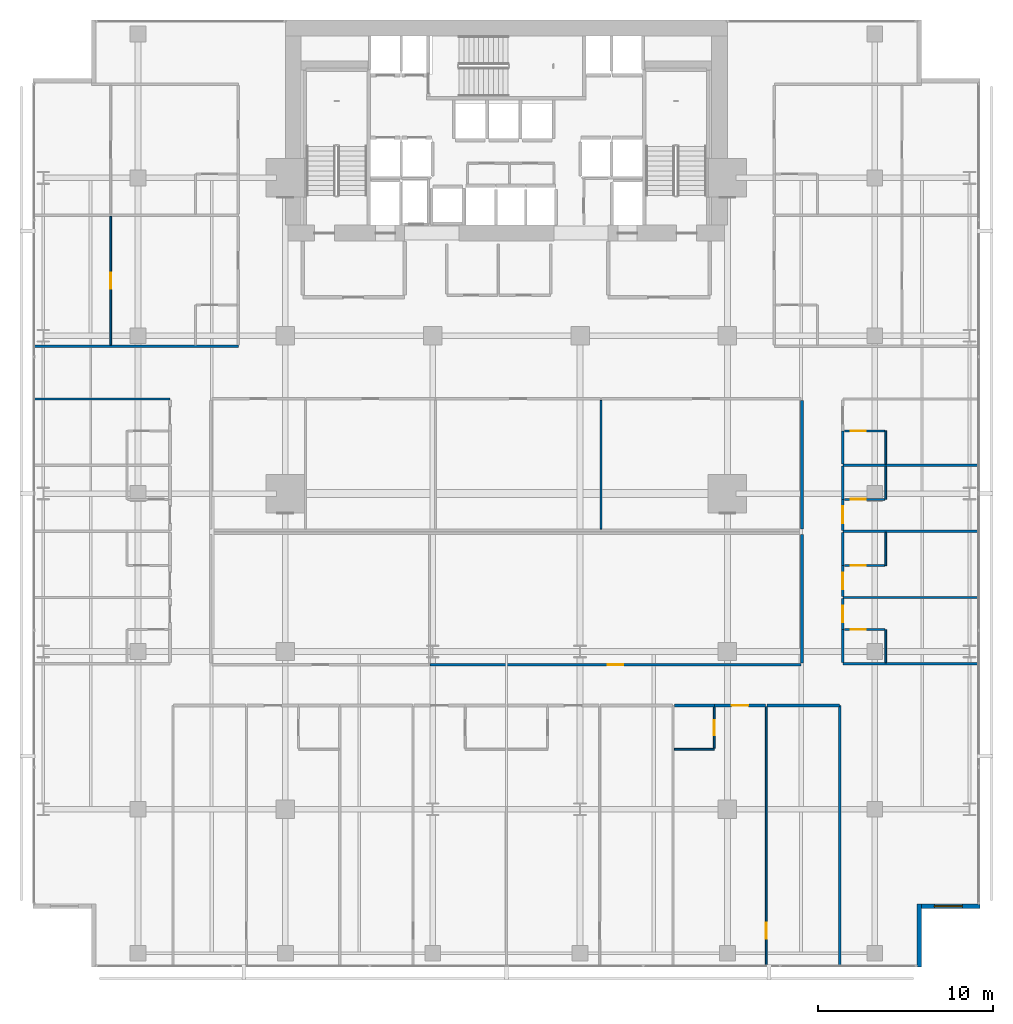
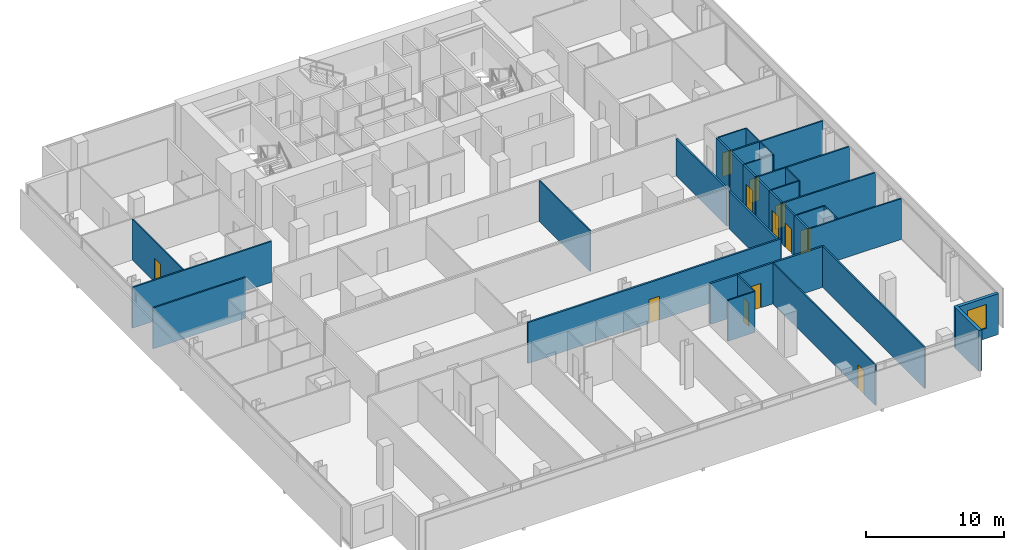
# One storey, part 34 of 40: 35 walls, 12 doors, 1 window, 13 openings.
"""IFC4 building model written with IfcOpenShell, lengths in metres."""

from ifc_helpers import new_model, si_unit, direction, frame, frame_2d, origin, place, context, subcontext, project, spatial, rectangle, extrude, material, layer, layer_set, type_object, element, fill, save


model = new_model("IFC4")

# Units and contexts
model_context = context("Model", 3, precision=1e-05, world=origin(), true_north=direction((0.0, 1.0)))
body_context = subcontext(model_context, "Body", "Model", "MODEL_VIEW")
ifc_project = project(units=[si_unit("LENGTHUNIT", "METRE"), si_unit("AREAUNIT", "SQUARE_METRE"), si_unit("VOLUMEUNIT", "CUBIC_METRE"), si_unit("PLANEANGLEUNIT", "RADIAN"), si_unit("MASSUNIT", "GRAM", prefix="KILO")], contexts=[model_context])

# Site, building, storey
site_placement = place(None, origin())
site = spatial("IfcSite", under=ifc_project, at=site_placement, CompositionType="ELEMENT")
building_placement = place(site_placement, origin())
building = spatial("IfcBuilding", under=site, at=building_placement, Name="Maruvema Waterfront Hotel and Observation Tower", CompositionType="ELEMENT")
storey_placement = place(building_placement, frame((0.0, 0.0, 107.800048828125)))
storey = spatial("IfcBuildingStorey", under=building, at=storey_placement, Name="L26", CompositionType="ELEMENT", Elevation=107.800048828125)

# Walls
ifc_material_1 = material(Name="Twin-stud acoustic gypsum drywall", Category="gypsum")
ifc_layer_1 = layer(ifc_material_1, 0.14990234375, Name="Acoustic Corridor and Suite Demising Wall 150 mm")
ifc_layer_set_1 = layer_set([ifc_layer_1], Name="Twin-stud acoustic gypsum drywall")
wall_type_1 = type_object("IfcWallType", Name="Acoustic Corridor and Suite Demising Wall 150 mm", PredefinedType="PARTITIONING", material=ifc_layer_set_1)
wall_1_placement = place(storey_placement, frame((54.64990234375, 24.97998046875, 0.0), z_axis=(0.0, 0.0, 1.0), x_axis=(0.0, 1.0, 0.0)))
element("IfcWall", 1, at=wall_1_placement, inside=storey, type_object=wall_type_1, Name="L26 L26-INTN East Wall 024", PredefinedType="PARTITIONING", context=body_context, shape_type="SweptSolid", body=[
    extrude(rectangle(XDim=7.340087890625, YDim=0.14990234375, at=frame_2d((3.669921875, 0.0))), origin(), (0.0, 0.0, 1.0), 3.300048828125),
])
wall_2_placement = place(storey_placement, frame((54.64990234375, 17.330078125, 0.0), z_axis=(0.0, 0.0, 1.0), x_axis=(0.0, 1.0, 0.0)))
element("IfcWall", 2, at=wall_2_placement, inside=storey, type_object=wall_type_1, Name="L26 L26-INTS East Wall 034", PredefinedType="PARTITIONING", context=body_context, shape_type="SweptSolid", body=[
    extrude(rectangle(XDim=7.329833984375, YDim=0.14990234375, at=frame_2d((3.6650390625, 0.0))), origin(), (0.0, 0.0, 1.0), 3.29296875),
])

# Wall, opening, door
wall_3_placement = place(storey_placement, frame((33.448974609375, 17.25, 0.0), z_axis=(0.0, 0.0, 1.0), x_axis=(1.0, 0.0, 0.0)))
wall_3 = element("IfcWall", 3, at=wall_3_placement, inside=storey, type_object=wall_type_1, Name="L26 L26-INTS Front 2 037", PredefinedType="PARTITIONING", context=body_context, shape_type="SweptSolid", body=[
    extrude(rectangle(XDim=21.14111328125, YDim=0.14990234375, at=frame_2d((10.570556640625, 0.0))), origin(), (0.0, 0.0, 1.0), 3.60986328125),
])
opening_1_placement = place(wall_3_placement, frame((10.12060546875, 0.0, 0.0)))
opening_1 = element("IfcOpeningElement", 4, at=opening_1_placement, cuts=wall_3, Name="Opening DR-090", PredefinedType="OPENING", context=body_context, shape_type="SweptSolid", body=[
    extrude(rectangle(XDim=0.89990234375, YDim=2.10009765625, at=frame_2d((0.449951171875, 1.050048828125))), frame((0.0, 0.0849609375, 0.0), z_axis=(0.0, -1.0, 0.0), x_axis=(1.0, 0.0, 0.0)), (0.0, 0.0, 1.0), 0.169921875),
])
ifc_material_2 = material(Name="Solid-core lacquered timber leaf", Category="wood")
door_type_1 = type_object("IfcDoorType", Name="Accessible Toilet and Room Door 900x2100 mm", OperationType="NOTDEFINED", PredefinedType="DOOR", material=ifc_material_2)
door_1_placement = place(opening_1_placement, frame((0.89990234375, 0.0, 0.0), z_axis=(0.0, 0.0, 1.0), x_axis=(-1.0, 0.0, 0.0)))
door_1 = element("IfcDoor", 5, at=door_1_placement, inside=storey, type_object=door_type_1, Name="L26 Housekeeping Linen Room Door", OperationType="SINGLE_SWING_LEFT", OverallHeight=2.10009765625, OverallWidth=0.89990234375, PredefinedType="DOOR", context=body_context, shape_type="SweptSolid", body=[
    extrude(rectangle(XDim=0.89990234375, YDim=2.10009765625, at=frame_2d((0.449951171875, 1.050048828125))), frame((0.0, 0.02490234375, 0.0), z_axis=(0.0, -1.0, 0.0), x_axis=(1.0, 0.0, 0.0)), (0.0, 0.0, 1.0), 0.050048828125),
])
fill(opening_1, door_1)

# Wall
wall_4_placement = place(storey_placement, frame((47.3798828125, 14.919921875, 0.0), z_axis=(0.0, 0.0, 1.0), x_axis=(1.0, 0.0, 0.0)))
element("IfcWall", 6, at=wall_4_placement, inside=storey, type_object=wall_type_1, Name="L26 Bath L26-S4 Back Wall 061", PredefinedType="PARTITIONING", context=body_context, shape_type="SweptSolid", body=[
    extrude(rectangle(XDim=2.27001953125, YDim=0.14990234375, at=frame_2d((1.135009765625, 0.0))), origin(), (0.0, 0.0, 1.0), 3.60986328125),
])

# Wall, opening, door
wall_5_placement = place(storey_placement, frame((49.64990234375, 14.919921875, 0.0), z_axis=(0.0, 0.0, 1.0), x_axis=(1.0, 0.0, 0.0)))
wall_5 = element("IfcWall", 7, at=wall_5_placement, inside=storey, type_object=wall_type_1, Name="L26 Unit L26-S4 Corridor Wall 064", PredefinedType="PARTITIONING", context=body_context, shape_type="SweptSolid", body=[
    extrude(rectangle(XDim=2.93017578125, YDim=0.14990234375, at=frame_2d((1.465087890625, 0.0))), origin(), (0.0, 0.0, 1.0), 3.60986328125),
])
opening_2_placement = place(wall_5_placement, frame((0.989990234375, 0.0, 0.0)))
opening_2 = element("IfcOpeningElement", 8, at=opening_2_placement, cuts=wall_5, Name="Opening DR-095", PredefinedType="OPENING", context=body_context, shape_type="SweptSolid", body=[
    extrude(rectangle(XDim=0.949951171875, YDim=2.14990234375, at=frame_2d((0.47509765625, 1.074951171875))), frame((0.0, 0.0849609375, 0.0), z_axis=(0.0, -1.0, 0.0), x_axis=(1.0, 0.0, 0.0)), (0.0, 0.0, 1.0), 0.169921875),
])
ifc_material_3 = material(Name="Acoustic solid-core hardwood timber leaf", Category="wood")
door_type_2 = type_object("IfcDoorType", Name="Guestroom Entrance Fire Door 950x2150 mm", OperationType="NOTDEFINED", PredefinedType="DOOR", material=ifc_material_3)
door_2_placement = place(opening_2_placement, frame((0.949951171875, 0.0, 0.0), z_axis=(0.0, 0.0, 1.0), x_axis=(-1.0, 0.0, 0.0)))
door_2 = element("IfcDoor", 9, at=door_2_placement, inside=storey, type_object=door_type_2, Name="L26 Unit L26-S4 Entrance Door", OperationType="SINGLE_SWING_RIGHT", OverallHeight=2.14990234375, OverallWidth=0.949951171875, PredefinedType="DOOR", context=body_context, shape_type="SweptSolid", body=[
    extrude(rectangle(XDim=0.949951171875, YDim=2.14990234375, at=frame_2d((0.47509765625, 1.074951171875))), frame((0.0, 0.02490234375, 0.0), z_axis=(0.0, -1.0, 0.0), x_axis=(1.0, 0.0, 0.0)), (0.0, 0.0, 1.0), 0.050048828125),
])
fill(opening_2, door_2)

# Walls
wall_6_placement = place(storey_placement, frame((52.659912109375, 14.919921875, 0.0), z_axis=(0.0, 0.0, 1.0), x_axis=(1.0, 0.0, 0.0)))
element("IfcWall", 10, at=wall_6_placement, inside=storey, type_object=wall_type_1, Name="L26 Bedroom L26-S4 Back Wall 065", PredefinedType="PARTITIONING", context=body_context, shape_type="SweptSolid", body=[
    extrude(rectangle(XDim=4.1201171875, YDim=0.14990234375, at=frame_2d((2.06005859375, 0.0))), origin(), (0.0, 0.0, 1.0), 3.60986328125),
])
wall_7_placement = place(storey_placement, frame((56.97998046875, 17.360107421875, 0.0), z_axis=(0.0, 0.0, 1.0), x_axis=(0.0, 1.0, 0.0)))
element("IfcWall", 11, at=wall_7_placement, inside=storey, type_object=wall_type_1, Name="L26 Bath L26-E1 Wall 075", PredefinedType="PARTITIONING", context=body_context, shape_type="SweptSolid", body=[
    extrude(rectangle(XDim=1.889892578125, YDim=0.14990234375, at=frame_2d((0.94482421875, 0.0))), origin(), (0.0, 0.0, 1.0), 3.60986328125),
])

# Wall, opening, door
wall_8_placement = place(storey_placement, frame((56.97998046875, 19.25, 0.0), z_axis=(0.0, 0.0, 1.0), x_axis=(0.0, 1.0, 0.0)))
wall_8 = element("IfcWall", 12, at=wall_8_placement, inside=storey, type_object=wall_type_1, Name="L26 Room L26-E1 Corridor Wall 076", PredefinedType="PARTITIONING", context=body_context, shape_type="SweptSolid", body=[
    extrude(rectangle(XDim=1.760009765625, YDim=0.14990234375, at=frame_2d((0.8798828125, 0.0))), origin(), (0.0, 0.0, 1.0), 3.60986328125),
])
opening_3_placement = place(wall_8_placement, frame((0.405029296875, 0.0, 0.0)))
opening_3 = element("IfcOpeningElement", 13, at=opening_3_placement, cuts=wall_8, Name="Opening DR-095", PredefinedType="OPENING", context=body_context, shape_type="SweptSolid", body=[
    extrude(rectangle(XDim=0.949951171875, YDim=2.14990234375, at=frame_2d((0.47509765625, 1.074951171875))), frame((0.0, 0.0849609375, 0.0), z_axis=(0.0, -1.0, 0.0), x_axis=(1.0, 0.0, 0.0)), (0.0, 0.0, 1.0), 0.169921875),
])
door_3_placement = place(opening_3_placement, frame((0.949951171875, 0.0, 0.0), z_axis=(0.0, 0.0, 1.0), x_axis=(-1.0, 0.0, 0.0)))
door_3 = element("IfcDoor", 14, at=door_3_placement, inside=storey, type_object=door_type_2, Name="L26 Room L26-E1 Entrance Door", OperationType="SINGLE_SWING_LEFT", OverallHeight=2.14990234375, OverallWidth=0.949951171875, PredefinedType="DOOR", context=body_context, shape_type="SweptSolid", body=[
    extrude(rectangle(XDim=0.949951171875, YDim=2.14990234375, at=frame_2d((0.47509765625, 1.074951171875))), frame((0.0, 0.02490234375, 0.0), z_axis=(0.0, -1.0, 0.0), x_axis=(1.0, 0.0, 0.0)), (0.0, 0.0, 1.0), 0.050048828125),
])
fill(opening_3, door_3)

wall_9_placement = place(storey_placement, frame((56.97998046875, 21.1298828125, 0.0), z_axis=(0.0, 0.0, 1.0), x_axis=(0.0, 1.0, 0.0)))
wall_9 = element("IfcWall", 15, at=wall_9_placement, inside=storey, type_object=wall_type_1, Name="L26 Room L26-E2 Corridor Wall 085", PredefinedType="PARTITIONING", context=body_context, shape_type="SweptSolid", body=[
    extrude(rectangle(XDim=1.77001953125, YDim=0.14990234375, at=frame_2d((0.885009765625, 0.0))), origin(), (0.0, 0.0, 1.0), 3.60986328125),
])
opening_4_placement = place(wall_9_placement, frame((0.409912109375, 0.0, 0.0)))
opening_4 = element("IfcOpeningElement", 16, at=opening_4_placement, cuts=wall_9, Name="Opening DR-095", PredefinedType="OPENING", context=body_context, shape_type="SweptSolid", body=[
    extrude(rectangle(XDim=0.949951171875, YDim=2.14990234375, at=frame_2d((0.47509765625, 1.074951171875))), frame((0.0, 0.0849609375, 0.0), z_axis=(0.0, -1.0, 0.0), x_axis=(1.0, 0.0, 0.0)), (0.0, 0.0, 1.0), 0.169921875),
])
door_4_placement = place(opening_4_placement, frame((0.949951171875, 0.0, 0.0), z_axis=(0.0, 0.0, 1.0), x_axis=(-1.0, 0.0, 0.0)))
door_4 = element("IfcDoor", 17, at=door_4_placement, inside=storey, type_object=door_type_2, Name="L26 Room L26-E2 Entrance Door", OperationType="SINGLE_SWING_LEFT", OverallHeight=2.14990234375, OverallWidth=0.949951171875, PredefinedType="DOOR", context=body_context, shape_type="SweptSolid", body=[
    extrude(rectangle(XDim=0.949951171875, YDim=2.14990234375, at=frame_2d((0.47509765625, 1.074951171875))), frame((0.0, 0.02490234375, 0.0), z_axis=(0.0, -1.0, 0.0), x_axis=(1.0, 0.0, 0.0)), (0.0, 0.0, 1.0), 0.050048828125),
])
fill(opening_4, door_4)

# Wall
wall_10_placement = place(storey_placement, frame((56.97998046875, 22.89990234375, 0.0), z_axis=(0.0, 0.0, 1.0), x_axis=(0.0, 1.0, 0.0)))
element("IfcWall", 18, at=wall_10_placement, inside=storey, type_object=wall_type_1, Name="L26 Bath L26-E2 Wall 086", PredefinedType="PARTITIONING", context=body_context, shape_type="SweptSolid", body=[
    extrude(rectangle(XDim=1.89013671875, YDim=0.14990234375, at=frame_2d((0.945068359375, 0.0))), origin(), (0.0, 0.0, 1.0), 3.60986328125),
])

# Wall, opening, door
wall_11_placement = place(storey_placement, frame((56.97998046875, 24.909912109375, 0.0), z_axis=(0.0, 0.0, 1.0), x_axis=(0.0, 1.0, 0.0)))
wall_11 = element("IfcWall", 19, at=wall_11_placement, inside=storey, type_object=wall_type_1, Name="L26 Room L26-E3 Corridor Wall 095", PredefinedType="PARTITIONING", context=body_context, shape_type="SweptSolid", body=[
    extrude(rectangle(XDim=1.760009765625, YDim=0.14990234375, at=frame_2d((0.8798828125, 0.0))), origin(), (0.0, 0.0, 1.0), 3.60986328125),
])
opening_5_placement = place(wall_11_placement, frame((0.405029296875, 0.0, 0.0)))
opening_5 = element("IfcOpeningElement", 20, at=opening_5_placement, cuts=wall_11, Name="Opening DR-095", PredefinedType="OPENING", context=body_context, shape_type="SweptSolid", body=[
    extrude(rectangle(XDim=0.949951171875, YDim=2.14990234375, at=frame_2d((0.47509765625, 1.074951171875))), frame((0.0, 0.0849609375, 0.0), z_axis=(0.0, -1.0, 0.0), x_axis=(1.0, 0.0, 0.0)), (0.0, 0.0, 1.0), 0.169921875),
])
door_5_placement = place(opening_5_placement, frame((0.949951171875, 0.0, 0.0), z_axis=(0.0, 0.0, 1.0), x_axis=(-1.0, 0.0, 0.0)))
door_5 = element("IfcDoor", 21, at=door_5_placement, inside=storey, type_object=door_type_2, Name="L26 Room L26-E3 Entrance Door", OperationType="SINGLE_SWING_LEFT", OverallHeight=2.14990234375, OverallWidth=0.949951171875, PredefinedType="DOOR", context=body_context, shape_type="SweptSolid", body=[
    extrude(rectangle(XDim=0.949951171875, YDim=2.14990234375, at=frame_2d((0.47509765625, 1.074951171875))), frame((0.0, 0.02490234375, 0.0), z_axis=(0.0, -1.0, 0.0), x_axis=(1.0, 0.0, 0.0)), (0.0, 0.0, 1.0), 0.050048828125),
])
fill(opening_5, door_5)

# Walls
for number, where, z_axis, x_axis, name in (
    (22, (56.97998046875, 26.669921875, 0.0), (0.0, 0.0, 1.0), (0.0, 1.0, 0.0), "L26 Bath L26-E3 Wall 096"),
    (23, (56.97998046875, 28.679931640625, 0.0), (0.0, 0.0, 1.0), (0.0, 1.0, 0.0), "L26 Bath L26-E4 Wall 105"),
):
    element("IfcWall", number, at=place(storey_placement, frame(where, z_axis=z_axis, x_axis=x_axis)), inside=storey, type_object=wall_type_1, Name=name, PredefinedType="PARTITIONING", context=body_context, shape_type="SweptSolid", body=[
        extrude(rectangle(XDim=1.89013671875, YDim=0.14990234375, at=frame_2d((0.945068359375, 0.0))), origin(), (0.0, 0.0, 1.0), 3.60986328125),
    ])
ifc_material_4 = material(Name="Moisture-resistant cement-board drywall", Category="gypsum")
ifc_layer_2 = layer(ifc_material_4, 0.10009765625, Name="En-Suite Moisture-Resistant Partition 100 mm")
ifc_layer_set_2 = layer_set([ifc_layer_2], Name="Moisture-resistant cement-board drywall")
wall_type_2 = type_object("IfcWallType", Name="En-Suite Moisture-Resistant Partition 100 mm", PredefinedType="PARTITIONING", material=ifc_layer_set_2)
wall_12_placement = place(storey_placement, frame((43.19189453125, 24.97998046875, 0.0), z_axis=(0.0, 0.0, 1.0), x_axis=(0.0, 1.0, 0.0)))
element("IfcWall", 24, at=wall_12_placement, inside=storey, type_object=wall_type_2, Name="L26 L26-INTN Split 3 030", PredefinedType="PARTITIONING", context=body_context, shape_type="SweptSolid", body=[
    extrude(rectangle(XDim=7.340087890625, YDim=0.10009765625, at=frame_2d((3.669921875, 0.0))), origin(), (0.0, 0.0, 1.0), 3.60986328125),
])
wall_13_placement = place(storey_placement, frame((47.3798828125, 12.419921875, 0.0), z_axis=(0.0, 0.0, 1.0), x_axis=(1.0, 0.0, 0.0)))
element("IfcWall", 25, at=wall_13_placement, inside=storey, type_object=wall_type_2, Name="L26 En-Suite L26-S4 South 062", PredefinedType="PARTITIONING", context=body_context, shape_type="SweptSolid", body=[
    extrude(rectangle(XDim=2.27001953125, YDim=0.10009765625, at=frame_2d((1.135009765625, 0.0))), origin(), (0.0, 0.0, 1.0), 3.60986328125),
])

# Wall, opening, door
wall_14_placement = place(storey_placement, frame((49.64990234375, 12.47998046875, 0.0), z_axis=(0.0, 0.0, 1.0), x_axis=(0.0, 1.0, 0.0)))
wall_14 = element("IfcWall", 26, at=wall_14_placement, inside=storey, type_object=wall_type_2, Name="L26 En-Suite L26-S4 East 063", PredefinedType="PARTITIONING", context=body_context, shape_type="SweptSolid", body=[
    extrude(rectangle(XDim=2.340087890625, YDim=0.10009765625, at=frame_2d((1.169921875, 0.0))), origin(), (0.0, 0.0, 1.0), 3.60986328125),
])
opening_6_placement = place(wall_14_placement, frame((0.7451171875, 0.0, 0.0)))
opening_6 = element("IfcOpeningElement", 27, at=opening_6_placement, cuts=wall_14, Name="Opening DR-085", PredefinedType="OPENING", context=body_context, shape_type="SweptSolid", body=[
    extrude(rectangle(XDim=0.85009765625, YDim=2.10009765625, at=frame_2d((0.425048828125, 1.050048828125))), frame((0.0, 0.06005859375, 0.0), z_axis=(0.0, -1.0, 0.0), x_axis=(1.0, 0.0, 0.0)), (0.0, 0.0, 1.0), 0.1201171875),
])
ifc_material_5 = material(Name="Moisture-resistant solid timber leaf", Category="wood")
door_type_3 = type_object("IfcDoorType", Name="En-Suite Bathroom Door 850x2100 mm", OperationType="NOTDEFINED", PredefinedType="DOOR", material=ifc_material_5)
door_6_placement = place(opening_6_placement, frame((0.85009765625, 0.0, 0.0), z_axis=(0.0, 0.0, 1.0), x_axis=(-1.0, 0.0, 0.0)))
door_6 = element("IfcDoor", 28, at=door_6_placement, inside=storey, type_object=door_type_3, Name="L26 En-Suite L26-S4 Door", OperationType="SINGLE_SWING_LEFT", OverallHeight=2.10009765625, OverallWidth=0.85009765625, PredefinedType="DOOR", context=body_context, shape_type="SweptSolid", body=[
    extrude(rectangle(XDim=0.85009765625, YDim=2.10009765625, at=frame_2d((0.425048828125, 1.050048828125))), frame((0.0, 0.02490234375, 0.0), z_axis=(0.0, -1.0, 0.0), x_axis=(1.0, 0.0, 0.0)), (0.0, 0.0, 1.0), 0.050048828125),
])
fill(opening_6, door_6)

wall_15_placement = place(storey_placement, frame((52.6201171875, 0.030029296875, 0.0), z_axis=(0.0, 0.0, 1.0), x_axis=(0.0, 1.0, 0.0)))
wall_15 = element("IfcWall", 29, at=wall_15_placement, inside=storey, type_object=wall_type_2, Name="L26 Suite L26-S4 Split 066", PredefinedType="PARTITIONING", context=body_context, shape_type="SweptSolid", body=[
    extrude(rectangle(XDim=14.830078125, YDim=0.10009765625, at=frame_2d((7.4150390625, 0.0))), origin(), (0.0, 0.0, 1.0), 3.60986328125),
])
opening_7_placement = place(wall_15_placement, frame((1.60009765625, 0.0, 0.0)))
opening_7 = element("IfcOpeningElement", 30, at=opening_7_placement, cuts=wall_15, Name="Opening DR-090", PredefinedType="OPENING", context=body_context, shape_type="SweptSolid", body=[
    extrude(rectangle(XDim=0.89990234375, YDim=2.10009765625, at=frame_2d((0.449951171875, 1.050048828125))), frame((0.0, 0.06005859375, 0.0), z_axis=(0.0, -1.0, 0.0), x_axis=(1.0, 0.0, 0.0)), (0.0, 0.0, 1.0), 0.1201171875),
])
door_7_placement = place(opening_7_placement, origin())
door_7 = element("IfcDoor", 31, at=door_7_placement, inside=storey, type_object=door_type_1, Name="L26 Suite L26-S4 Bedroom Door", OperationType="SINGLE_SWING_LEFT", OverallHeight=2.10009765625, OverallWidth=0.89990234375, PredefinedType="DOOR", context=body_context, shape_type="SweptSolid", body=[
    extrude(rectangle(XDim=0.89990234375, YDim=2.10009765625, at=frame_2d((0.449951171875, 1.050048828125))), frame((0.0, 0.02490234375, 0.0), z_axis=(0.0, -1.0, 0.0), x_axis=(1.0, 0.0, 0.0)), (0.0, 0.0, 1.0), 0.050048828125),
])
fill(opening_7, door_7)

# Wall
wall_16_placement = place(storey_placement, frame((59.429931640625, 17.360107421875, 0.0), z_axis=(0.0, 0.0, 1.0), x_axis=(0.0, 1.0, 0.0)))
element("IfcWall", 32, at=wall_16_placement, inside=storey, type_object=wall_type_2, Name="L26 En-Suite L26-E1 E 077", PredefinedType="PARTITIONING", context=body_context, shape_type="SweptSolid", body=[
    extrude(rectangle(XDim=1.889892578125, YDim=0.10009765625, at=frame_2d((0.94482421875, 0.0))), origin(), (0.0, 0.0, 1.0), 3.60986328125),
])

# Wall, opening, door
wall_17_placement = place(storey_placement, frame((57.080078125, 19.25, 0.0), z_axis=(0.0, 0.0, 1.0), x_axis=(1.0, 0.0, 0.0)))
wall_17 = element("IfcWall", 33, at=wall_17_placement, inside=storey, type_object=wall_type_2, Name="L26 En-Suite L26-E1 N 078", PredefinedType="PARTITIONING", context=body_context, shape_type="SweptSolid", body=[
    extrude(rectangle(XDim=2.2998046875, YDim=0.10009765625, at=frame_2d((1.14990234375, 0.0))), origin(), (0.0, 0.0, 1.0), 3.60986328125),
])
opening_8_placement = place(wall_17_placement, frame((0.35009765625, 0.0, 0.0)))
opening_8 = element("IfcOpeningElement", 34, at=opening_8_placement, cuts=wall_17, Name="Opening DR-085", PredefinedType="OPENING", context=body_context, shape_type="SweptSolid", body=[
    extrude(rectangle(XDim=0.85009765625, YDim=2.10009765625, at=frame_2d((0.425048828125, 1.050048828125))), frame((0.0, 0.06005859375, 0.0), z_axis=(0.0, -1.0, 0.0), x_axis=(1.0, 0.0, 0.0)), (0.0, 0.0, 1.0), 0.1201171875),
])
door_8_placement = place(opening_8_placement, origin())
door_8 = element("IfcDoor", 35, at=door_8_placement, inside=storey, type_object=door_type_3, Name="L26 En-Suite L26-E1 Door", OperationType="SINGLE_SWING_RIGHT", OverallHeight=2.10009765625, OverallWidth=0.85009765625, PredefinedType="DOOR", context=body_context, shape_type="SweptSolid", body=[
    extrude(rectangle(XDim=0.85009765625, YDim=2.10009765625, at=frame_2d((0.425048828125, 1.050048828125))), frame((0.0, 0.02490234375, 0.0), z_axis=(0.0, -1.0, 0.0), x_axis=(1.0, 0.0, 0.0)), (0.0, 0.0, 1.0), 0.050048828125),
])
fill(opening_8, door_8)

# Wall
wall_18_placement = place(storey_placement, frame((59.429931640625, 22.89990234375, 0.0), z_axis=(0.0, 0.0, 1.0), x_axis=(0.0, 1.0, 0.0)))
element("IfcWall", 36, at=wall_18_placement, inside=storey, type_object=wall_type_2, Name="L26 En-Suite L26-E2 E 087", PredefinedType="PARTITIONING", context=body_context, shape_type="SweptSolid", body=[
    extrude(rectangle(XDim=1.89013671875, YDim=0.10009765625, at=frame_2d((0.945068359375, 0.0))), origin(), (0.0, 0.0, 1.0), 3.60986328125),
])

# Wall, opening, door
wall_19_placement = place(storey_placement, frame((57.080078125, 22.89990234375, 0.0), z_axis=(0.0, 0.0, 1.0), x_axis=(1.0, 0.0, 0.0)))
wall_19 = element("IfcWall", 37, at=wall_19_placement, inside=storey, type_object=wall_type_2, Name="L26 En-Suite L26-E2 S 088", PredefinedType="PARTITIONING", context=body_context, shape_type="SweptSolid", body=[
    extrude(rectangle(XDim=2.2998046875, YDim=0.10009765625, at=frame_2d((1.14990234375, 0.0))), origin(), (0.0, 0.0, 1.0), 3.60986328125),
])
opening_9_placement = place(wall_19_placement, frame((0.35009765625, 0.0, 0.0)))
opening_9 = element("IfcOpeningElement", 38, at=opening_9_placement, cuts=wall_19, Name="Opening DR-085", PredefinedType="OPENING", context=body_context, shape_type="SweptSolid", body=[
    extrude(rectangle(XDim=0.85009765625, YDim=2.10009765625, at=frame_2d((0.425048828125, 1.050048828125))), frame((0.0, 0.06005859375, 0.0), z_axis=(0.0, -1.0, 0.0), x_axis=(1.0, 0.0, 0.0)), (0.0, 0.0, 1.0), 0.1201171875),
])
door_9_placement = place(opening_9_placement, frame((0.85009765625, 0.0, 0.0), z_axis=(0.0, 0.0, 1.0), x_axis=(-1.0, 0.0, 0.0)))
door_9 = element("IfcDoor", 39, at=door_9_placement, inside=storey, type_object=door_type_3, Name="L26 En-Suite L26-E2 Door", OperationType="SINGLE_SWING_RIGHT", OverallHeight=2.10009765625, OverallWidth=0.85009765625, PredefinedType="DOOR", context=body_context, shape_type="SweptSolid", body=[
    extrude(rectangle(XDim=0.85009765625, YDim=2.10009765625, at=frame_2d((0.425048828125, 1.050048828125))), frame((0.0, 0.02490234375, 0.0), z_axis=(0.0, -1.0, 0.0), x_axis=(1.0, 0.0, 0.0)), (0.0, 0.0, 1.0), 0.050048828125),
])
fill(opening_9, door_9)

# Wall
wall_20_placement = place(storey_placement, frame((59.429931640625, 26.669921875, 0.0), z_axis=(0.0, 0.0, 1.0), x_axis=(0.0, 1.0, 0.0)))
element("IfcWall", 40, at=wall_20_placement, inside=storey, type_object=wall_type_2, Name="L26 En-Suite L26-E3 E 097", PredefinedType="PARTITIONING", context=body_context, shape_type="SweptSolid", body=[
    extrude(rectangle(XDim=1.89013671875, YDim=0.10009765625, at=frame_2d((0.945068359375, 0.0))), origin(), (0.0, 0.0, 1.0), 3.60986328125),
])

# Wall, opening, door
wall_21_placement = place(storey_placement, frame((57.080078125, 26.669921875, 0.0), z_axis=(0.0, 0.0, 1.0), x_axis=(1.0, 0.0, 0.0)))
wall_21 = element("IfcWall", 41, at=wall_21_placement, inside=storey, type_object=wall_type_2, Name="L26 En-Suite L26-E3 S 098", PredefinedType="PARTITIONING", context=body_context, shape_type="SweptSolid", body=[
    extrude(rectangle(XDim=2.2998046875, YDim=0.10009765625, at=frame_2d((1.14990234375, 0.0))), origin(), (0.0, 0.0, 1.0), 3.60986328125),
])
opening_10_placement = place(wall_21_placement, frame((0.35009765625, 0.0, 0.0)))
opening_10 = element("IfcOpeningElement", 42, at=opening_10_placement, cuts=wall_21, Name="Opening DR-085", PredefinedType="OPENING", context=body_context, shape_type="SweptSolid", body=[
    extrude(rectangle(XDim=0.85009765625, YDim=2.10009765625, at=frame_2d((0.425048828125, 1.050048828125))), frame((0.0, 0.06005859375, 0.0), z_axis=(0.0, -1.0, 0.0), x_axis=(1.0, 0.0, 0.0)), (0.0, 0.0, 1.0), 0.1201171875),
])
door_10_placement = place(opening_10_placement, frame((0.85009765625, 0.0, 0.0), z_axis=(0.0, 0.0, 1.0), x_axis=(-1.0, 0.0, 0.0)))
door_10 = element("IfcDoor", 43, at=door_10_placement, inside=storey, type_object=door_type_3, Name="L26 En-Suite L26-E3 Door", OperationType="SINGLE_SWING_RIGHT", OverallHeight=2.10009765625, OverallWidth=0.85009765625, PredefinedType="DOOR", context=body_context, shape_type="SweptSolid", body=[
    extrude(rectangle(XDim=0.85009765625, YDim=2.10009765625, at=frame_2d((0.425048828125, 1.050048828125))), frame((0.0, 0.02490234375, 0.0), z_axis=(0.0, -1.0, 0.0), x_axis=(1.0, 0.0, 0.0)), (0.0, 0.0, 1.0), 0.050048828125),
])
fill(opening_10, door_10)

# Wall
wall_22_placement = place(storey_placement, frame((59.429931640625, 28.679931640625, 0.0), z_axis=(0.0, 0.0, 1.0), x_axis=(0.0, 1.0, 0.0)))
element("IfcWall", 44, at=wall_22_placement, inside=storey, type_object=wall_type_2, Name="L26 En-Suite L26-E4 E 107", PredefinedType="PARTITIONING", context=body_context, shape_type="SweptSolid", body=[
    extrude(rectangle(XDim=1.89013671875, YDim=0.10009765625, at=frame_2d((0.945068359375, 0.0))), origin(), (0.0, 0.0, 1.0), 3.60986328125),
])

# Wall, opening, door
wall_23_placement = place(storey_placement, frame((57.080078125, 30.570068359375, 0.0), z_axis=(0.0, 0.0, 1.0), x_axis=(1.0, 0.0, 0.0)))
wall_23 = element("IfcWall", 45, at=wall_23_placement, inside=storey, type_object=wall_type_2, Name="L26 En-Suite L26-E4 N 108", PredefinedType="PARTITIONING", context=body_context, shape_type="SweptSolid", body=[
    extrude(rectangle(XDim=2.2998046875, YDim=0.10009765625, at=frame_2d((1.14990234375, 0.0))), origin(), (0.0, 0.0, 1.0), 3.60986328125),
])
opening_11_placement = place(wall_23_placement, frame((0.35009765625, 0.0, 0.0)))
opening_11 = element("IfcOpeningElement", 46, at=opening_11_placement, cuts=wall_23, Name="Opening DR-085", PredefinedType="OPENING", context=body_context, shape_type="SweptSolid", body=[
    extrude(rectangle(XDim=0.85009765625, YDim=2.10009765625, at=frame_2d((0.425048828125, 1.050048828125))), frame((0.0, 0.06005859375, 0.0), z_axis=(0.0, -1.0, 0.0), x_axis=(1.0, 0.0, 0.0)), (0.0, 0.0, 1.0), 0.1201171875),
])
door_11_placement = place(opening_11_placement, origin())
door_11 = element("IfcDoor", 47, at=door_11_placement, inside=storey, type_object=door_type_3, Name="L26 En-Suite L26-E4 Door", OperationType="SINGLE_SWING_RIGHT", OverallHeight=2.10009765625, OverallWidth=0.85009765625, PredefinedType="DOOR", context=body_context, shape_type="SweptSolid", body=[
    extrude(rectangle(XDim=0.85009765625, YDim=2.10009765625, at=frame_2d((0.425048828125, 1.050048828125))), frame((0.0, 0.02490234375, 0.0), z_axis=(0.0, -1.0, 0.0), x_axis=(1.0, 0.0, 0.0)), (0.0, 0.0, 1.0), 0.050048828125),
])
fill(opening_11, door_11)

wall_24_placement = place(storey_placement, frame((15.24951171875, 35.4599609375, 0.0), z_axis=(0.0, 0.0, 1.0), x_axis=(0.0, 1.0, 0.0)))
wall_24 = element("IfcWall", 48, at=wall_24_placement, inside=storey, type_object=wall_type_2, Name="L26 Suite L26-NW1 Split 117", PredefinedType="PARTITIONING", context=body_context, shape_type="SweptSolid", body=[
    extrude(rectangle(XDim=7.3486328125, YDim=0.10009765625, at=frame_2d((3.67431640625, 0.0))), origin(), (0.0, 0.0, 1.0), 3.60986328125),
])
opening_12_placement = place(wall_24_placement, frame((3.224365234375, 0.0, 0.0)))
opening_12 = element("IfcOpeningElement", 49, at=opening_12_placement, cuts=wall_24, Name="Opening DR-090", PredefinedType="OPENING", context=body_context, shape_type="SweptSolid", body=[
    extrude(rectangle(XDim=0.89990234375, YDim=2.10009765625, at=frame_2d((0.449951171875, 1.050048828125))), frame((0.0, 0.06005859375, 0.0), z_axis=(0.0, -1.0, 0.0), x_axis=(1.0, 0.0, 0.0)), (0.0, 0.0, 1.0), 0.1201171875),
])
door_12_placement = place(opening_12_placement, origin())
door_12 = element("IfcDoor", 50, at=door_12_placement, inside=storey, type_object=door_type_1, Name="L26 Suite L26-NW1 Bedroom Door", OperationType="SINGLE_SWING_RIGHT", OverallHeight=2.10009765625, OverallWidth=0.89990234375, PredefinedType="DOOR", context=body_context, shape_type="SweptSolid", body=[
    extrude(rectangle(XDim=0.89990234375, YDim=2.10009765625, at=frame_2d((0.449951171875, 1.050048828125))), frame((0.0, 0.02490234375, 0.0), z_axis=(0.0, -1.0, 0.0), x_axis=(1.0, 0.0, 0.0)), (0.0, 0.0, 1.0), 0.050048828125),
])
fill(opening_12, door_12)

# Wall
ifc_material_6 = material(Name="Precast concrete C45/55 with honed Pernambuco granite facing", Category="masonry")
ifc_layer_3 = layer(ifc_material_6, 0.260009765625, Name="Exterior Granite Clad Spandrel and Pier Wall 260 mm")
ifc_layer_set_3 = layer_set([ifc_layer_3], Name="Precast concrete C45/55 with honed Pernambuco granite facing")
wall_type_3 = type_object("IfcWallType", Name="Exterior Granite Clad Spandrel and Pier Wall 260 mm", PredefinedType="SOLIDWALL", material=ifc_layer_set_3)
wall_25_placement = place(storey_placement, frame((61.330078125, 3.60009765625, 0.0), z_axis=(0.0, 0.0, 1.0), x_axis=(0.0, -1.0, 0.0)))
element("IfcWall", 51, at=wall_25_placement, inside=storey, type_object=wall_type_3, Name="L26 Corner Notch Granite Pier Wall SE1", PredefinedType="SOLIDWALL", context=body_context, shape_type="SweptSolid", body=[
    extrude(rectangle(XDim=3.60009765625, YDim=0.260009765625, at=frame_2d((1.800048828125, 0.0))), origin(), (0.0, 0.0, 1.0), 3.60986328125),
])

# Wall, opening, window
wall_26_placement = place(storey_placement, frame((64.800048828125, 3.469970703125, 0.0), z_axis=(0.0, 0.0, 1.0), x_axis=(-1.0, 0.0, 0.0)))
wall_26 = element("IfcWall", 52, at=wall_26_placement, inside=storey, type_object=wall_type_3, Name="L26 Corner Notch Granite Pier Wall SE2", PredefinedType="SOLIDWALL", context=body_context, shape_type="SweptSolid", body=[
    extrude(rectangle(XDim=3.60009765625, YDim=0.260009765625, at=frame_2d((1.800048828125, 0.0))), origin(), (0.0, 0.0, 1.0), 3.60986328125),
])
opening_13_placement = place(wall_26_placement, frame((1.0, 0.0, 0.89990234375)))
opening_13 = element("IfcOpeningElement", 53, at=opening_13_placement, cuts=wall_26, Name="Opening WN-01", PredefinedType="OPENING", context=body_context, shape_type="SweptSolid", body=[
    extrude(rectangle(XDim=1.60009765625, YDim=2.10009765625, at=frame_2d((0.800048828125, 1.050048828125))), frame((0.0, 0.14013671875, 0.0), z_axis=(0.0, -1.0, 0.0), x_axis=(1.0, 0.0, 0.0)), (0.0, 0.0, 1.0), 0.280029296875),
])
ifc_material_7 = material(Name="Anodised bronze aluminium frame with laminated low-E glass", Category="aluminium")
window_type = type_object("IfcWindowType", Name="Corner Notch Feature Window 1600x2100 mm", PartitioningType="SINGLE_PANEL", PredefinedType="WINDOW", material=ifc_material_7)
window_placement = place(opening_13_placement, origin())
window = element("IfcWindow", 54, at=window_placement, inside=storey, type_object=window_type, Name="L26 Corner Notch Punched Window SE2", OverallHeight=2.10009765625, OverallWidth=1.60009765625, PartitioningType="SINGLE_PANEL", PredefinedType="WINDOW", context=body_context, shape_type="SweptSolid", body=[
    extrude(rectangle(XDim=1.60009765625, YDim=2.10009765625, at=frame_2d((0.800048828125, 1.050048828125))), frame((0.0, 0.030029296875, 0.0), z_axis=(0.0, -1.0, 0.0), x_axis=(1.0, 0.0, 0.0)), (0.0, 0.0, 1.0), 0.06005859375),
])
fill(opening_13, window)

# Walls
ifc_material_8 = material(Name="Acoustic gypsum plasterboard drywall", Category="gypsum")
ifc_layer_4 = layer(ifc_material_8, 0.125, Name="Guestroom Acoustic Demising Wall 125 mm")
ifc_layer_set_4 = layer_set([ifc_layer_4], Name="Acoustic gypsum plasterboard drywall")
wall_type_4 = type_object("IfcWallType", Name="Guestroom Acoustic Demising Wall 125 mm", PredefinedType="PARTITIONING", material=ifc_layer_set_4)
wall_27_placement = place(storey_placement, frame((56.800048828125, 0.10009765625, 0.0), z_axis=(0.0, 0.0, 1.0), x_axis=(0.0, 1.0, 0.0)))
element("IfcWall", 55, at=wall_27_placement, inside=storey, type_object=wall_type_4, Name="L26 S East End 039", PredefinedType="PARTITIONING", context=body_context, shape_type="SweptSolid", body=[
    extrude(rectangle(XDim=14.81982421875, YDim=0.125, at=frame_2d((7.409912109375, 0.0))), origin(), (0.0, 0.0, 1.0), 3.60986328125),
])
wall_28_placement = place(storey_placement, frame((56.97998046875, 17.300048828125, 0.0), z_axis=(0.0, 0.0, 1.0), x_axis=(1.0, 0.0, 0.0)))
element("IfcWall", 56, at=wall_28_placement, inside=storey, type_object=wall_type_4, Name="L26 E Bot End 068", PredefinedType="PARTITIONING", context=body_context, shape_type="SweptSolid", body=[
    extrude(rectangle(XDim=7.719970703125, YDim=0.125, at=frame_2d((3.85986328125, 0.0))), origin(), (0.0, 0.0, 1.0), 3.60986328125),
])
wall_29_placement = place(storey_placement, frame((10.89990234375, 32.39990234375, 0.0), z_axis=(0.0, 0.0, 1.0), x_axis=(1.0, 0.0, 0.0)))
element("IfcWall", 57, at=wall_29_placement, inside=storey, type_object=wall_type_4, Name="L26 W Top End 069", PredefinedType="PARTITIONING", context=body_context, shape_type="SweptSolid", body=[
    extrude(rectangle(XDim=7.72021484375, YDim=0.125, at=frame_2d((3.860107421875, 0.0))), origin(), (0.0, 0.0, 1.0), 3.60986328125),
])
for number, where, z_axis, x_axis, name in (
    (58, (56.97998046875, 21.070068359375, 0.0), (0.0, 0.0, 1.0), (1.0, 0.0, 0.0), "L26 E Demising 2 080"),
    (59, (56.97998046875, 24.85009765625, 0.0), (0.0, 0.0, 1.0), (1.0, 0.0, 0.0), "L26 E Demising 3 090"),
    (60, (56.97998046875, 28.6201171875, 0.0), (0.0, 0.0, 1.0), (1.0, 0.0, 0.0), "L26 E Demising 4 100"),
):
    element("IfcWall", number, at=place(storey_placement, frame(where, z_axis=z_axis, x_axis=x_axis)), inside=storey, type_object=wall_type_4, Name=name, PredefinedType="PARTITIONING", context=body_context, shape_type="SweptSolid", body=[
        extrude(rectangle(XDim=7.719970703125, YDim=0.125, at=frame_2d((3.85986328125, 0.0))), origin(), (0.0, 0.0, 1.0), 3.60986328125),
    ])
wall_30_placement = place(storey_placement, frame((10.89990234375, 35.39990234375, 0.0), z_axis=(0.0, 0.0, 1.0), x_axis=(1.0, 0.0, 0.0)))
element("IfcWall", 61, at=wall_30_placement, inside=storey, type_object=wall_type_4, Name="L26 NW Bot End 109", PredefinedType="PARTITIONING", context=body_context, shape_type="SweptSolid", body=[
    extrude(rectangle(XDim=11.6201171875, YDim=0.125, at=frame_2d((5.81005859375, 0.0))), origin(), (0.0, 0.0, 1.0), 3.60986328125),
])

save(model, "model.ifc")
